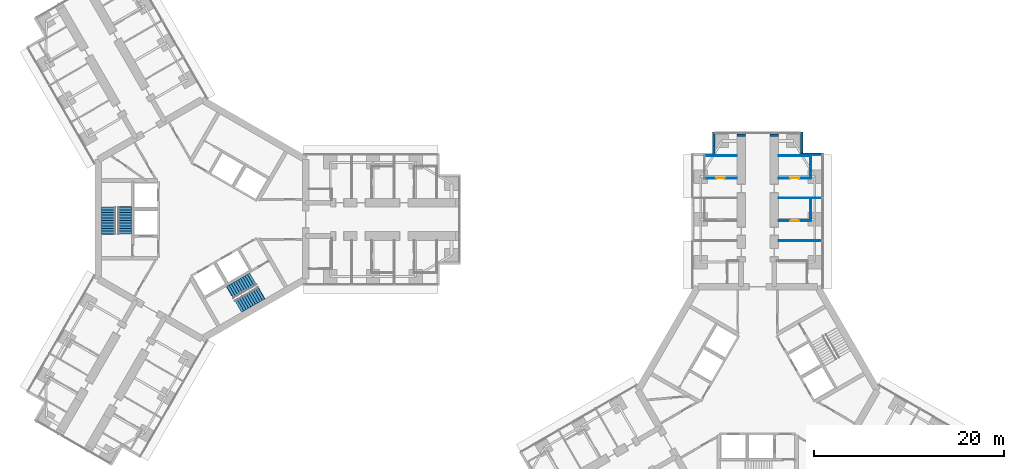
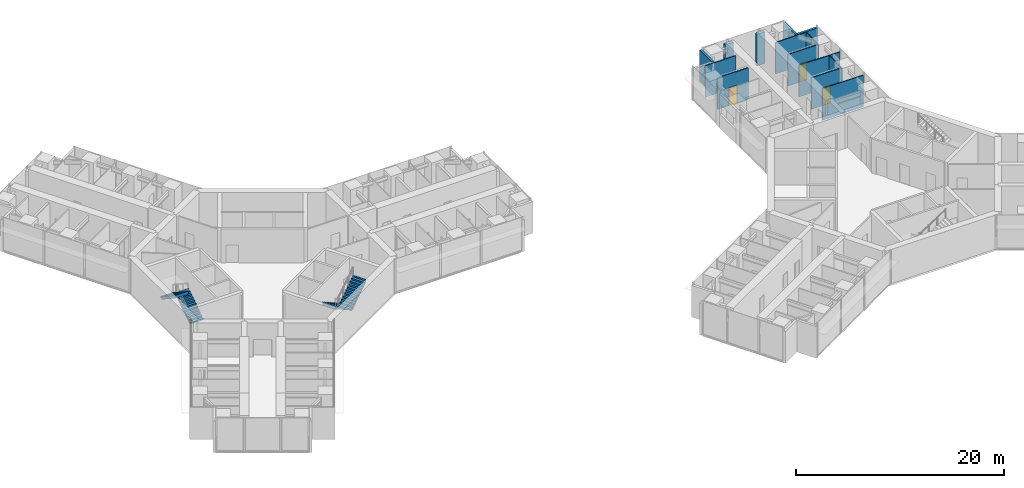
# One storey, part 23 of 25: 14 walls, 4 stair flights, 3 doors, 3 openings, 2 elements without a shape of their own.
"""IFC4 building model written with IfcOpenShell, lengths in metres."""

from ifc_helpers import new_model, si_unit, direction, frame, frame_2d, origin, place, context, subcontext, project, spatial, polyline, rectangle, outline, extrude, material, layer, layer_set, type_object, element, fill, aggregate, save


model = new_model("IFC4")

# Units and contexts
model_context = context("Model", 3, precision=1e-05, world=origin(), true_north=direction((0.0, 1.0)))
body_context = subcontext(model_context, "Body", "Model", "MODEL_VIEW")
ifc_project = project(units=[si_unit("LENGTHUNIT", "METRE"), si_unit("AREAUNIT", "SQUARE_METRE"), si_unit("VOLUMEUNIT", "CUBIC_METRE"), si_unit("PLANEANGLEUNIT", "RADIAN"), si_unit("MASSUNIT", "GRAM", prefix="KILO")], contexts=[model_context])

# Site, building, storey
site_placement = place(None, origin())
site = spatial("IfcSite", under=ifc_project, at=site_placement, CompositionType="ELEMENT")
building_placement = place(site_placement, origin())
building = spatial("IfcBuilding", under=site, at=building_placement, Name="Upepo Twin Towers", CompositionType="ELEMENT")
storey_placement = place(building_placement, frame((0.0, 0.0, 88.5)))
storey = spatial("IfcBuildingStorey", under=building, at=storey_placement, Name="L21", CompositionType="ELEMENT", Elevation=88.5)

# Walls
ifc_material_1 = material(Name="Dense concrete blockwork", Category="masonry")
ifc_layer_1 = layer(ifc_material_1, 0.89990234375)
ifc_layer_set_1 = layer_set([ifc_layer_1], Name="Buttress closer 900, blockwork with fire-stopping to the curtain wall")
wall_type_1 = type_object("IfcWallType", Name="Buttress closer 900, blockwork with fire-stopping to the curtain wall", PredefinedType="PARTITIONING", material=ifc_layer_set_1)
for number, where, z_axis, x_axis, name in (
    (1, (56.75, 8.699951171875, 0.0), (0.0, 0.0, 1.0), (0.0, 1.0, 0.0), "T2 L21 wing A buttress closer L"),
    (2, (60.25, 8.699951171875, 0.0), (0.0, 0.0, 1.0), (0.0, 1.0, 0.0), "T2 L21 wing A buttress closer R"),
):
    element("IfcWall", number, at=place(storey_placement, frame(where, z_axis=z_axis, x_axis=x_axis)), inside=storey, type_object=wall_type_1, Name=name, PredefinedType="PARTITIONING", context=body_context, shape_type="SweptSolid", body=[
        extrude(rectangle(XDim=0.31005859375, YDim=0.89990234375, at=frame_2d((0.155029296875, 0.0))), origin(), (0.0, 0.0, 1.0), 3.699951171875),
    ])
ifc_material_2 = material(Name="Blockwork with anodised aluminium cladding", Category="masonry")
ifc_layer_2 = layer(ifc_material_2, 0.25)
ifc_layer_set_2 = layer_set([ifc_layer_2], Name="Notch cladding wall 250, pale metal")
wall_type_2 = type_object("IfcWallType", Name="Notch cladding wall 250, pale metal", PredefinedType="STANDARD", material=ifc_layer_set_2)
for number, where, z_axis, x_axis, name in (
    (3, (53.875, 6.875, 0.0), (0.0, 0.0, 1.0), (0.0, 1.0, 0.0), "T2 L21 wing A notch wall L2"),
    (4, (65.449951171875, 6.875, 0.0), (0.0, 0.0, 1.0), (-1.0, 0.0, 0.0), "T2 L21 wing A notch wall R1"),
    (5, (63.125, 6.875, 0.0), (0.0, 0.0, 1.0), (0.0, 1.0, 0.0), "T2 L21 wing A notch wall R2"),
):
    element("IfcWall", number, at=place(storey_placement, frame(where, z_axis=z_axis, x_axis=x_axis)), inside=storey, type_object=wall_type_2, Name=name, PredefinedType="STANDARD", context=body_context, shape_type="SweptSolid", body=[
        extrude(rectangle(XDim=2.324951171875, YDim=0.25, at=frame_2d((1.16259765625, 0.0))), origin(), (0.0, 0.0, 1.0), 3.699951171875),
    ])

# Wall, opening, door
ifc_material_3 = material(Name="Gypsum board on steel studs", Category="steel")
ifc_layer_3 = layer(ifc_material_3, 0.10009765625)
ifc_layer_set_3 = layer_set([ifc_layer_3], Name="Office partition 100 stud")
wall_type_3 = type_object("IfcWallType", Name="Office partition 100 stud", PredefinedType="PARTITIONING", material=ifc_layer_set_3)
wall_1_placement = place(storey_placement, frame((56.300048828125, 4.35009765625, 0.0), z_axis=(0.0, 0.0, 1.0), x_axis=(-1.0, 0.0, 0.0)))
wall_1 = element("IfcWall", 6, at=wall_1_placement, inside=storey, type_object=wall_type_3, Name="T2 inner room partition AL end at 22.35", PredefinedType="PARTITIONING", context=body_context, shape_type="SweptSolid", body=[
    extrude(rectangle(XDim=3.400146484375, YDim=0.10009765625, at=frame_2d((1.7001953125, 0.0))), origin(), (0.0, 0.0, 1.0), 3.699951171875),
])
opening_1_placement = place(wall_1_placement, frame((1.25, 0.0, 0.0)))
opening_1 = element("IfcOpeningElement", 7, at=opening_1_placement, cuts=wall_1, Name="Opening D14", PredefinedType="OPENING", context=body_context, shape_type="SweptSolid", body=[
    extrude(rectangle(XDim=0.89990234375, YDim=2.10009765625, at=frame_2d((0.449951171875, 1.050048828125))), frame((0.0, 0.06005859375, 0.0), z_axis=(0.0, -1.0, 0.0), x_axis=(1.0, 0.0, 0.0)), (0.0, 0.0, 1.0), 0.1201171875),
])
ifc_material_4 = material(Name="Timber doorset", Category="wood")
door_type = type_object("IfcDoorType", Name="Office door 900 FD30", OperationType="SINGLE_SWING_LEFT", PredefinedType="DOOR", material=ifc_material_4)
door_1_placement = place(opening_1_placement, origin())
door_1 = element("IfcDoor", 8, at=door_1_placement, inside=storey, type_object=door_type, Name="T2 L21 inner room door", OperationType="SINGLE_SWING_LEFT", OverallHeight=2.10009765625, OverallWidth=0.89990234375, PredefinedType="DOOR", context=body_context, shape_type="SweptSolid", body=[
    extrude(rectangle(XDim=0.89990234375, YDim=2.10009765625, at=frame_2d((0.449951171875, 1.050048828125))), frame((0.0, 0.02490234375, 0.0), z_axis=(0.0, -1.0, 0.0), x_axis=(1.0, 0.0, 0.0)), (0.0, 0.0, 1.0), 0.050048828125),
])
fill(opening_1, door_1)

# Walls
wall_2_placement = place(storey_placement, frame((56.300048828125, 6.699951171875, 0.0), z_axis=(0.0, 0.0, 1.0), x_axis=(-1.0, 0.0, 0.0)))
element("IfcWall", 9, at=wall_2_placement, inside=storey, type_object=wall_type_3, Name="T2 inner room partition AL end at 24.75", PredefinedType="PARTITIONING", context=body_context, shape_type="SweptSolid", body=[
    extrude(rectangle(XDim=3.400146484375, YDim=0.10009765625, at=frame_2d((1.7001953125, 0.0))), origin(), (0.0, 0.0, 1.0), 3.699951171875),
])
for number, where, z_axis, x_axis, name in (
    (10, (60.699951171875, -2.25, 0.0), (0.0, 0.0, 1.0), (1.0, 0.0, 0.0), "T2 partition AR at 15.75"),
    (11, (60.699951171875, 2.25, 0.0), (0.0, 0.0, 1.0), (1.0, 0.0, 0.0), "T2 partition AR at 20.25"),
):
    element("IfcWall", number, at=place(storey_placement, frame(where, z_axis=z_axis, x_axis=x_axis)), inside=storey, type_object=wall_type_3, Name=name, PredefinedType="PARTITIONING", context=body_context, shape_type="SweptSolid", body=[
        extrude(rectangle(XDim=4.550048828125, YDim=0.10009765625, at=frame_2d((2.27490234375, 0.0))), origin(), (0.0, 0.0, 1.0), 3.699951171875),
    ])
wall_3_placement = place(storey_placement, frame((64.10009765625, -0.14990234375, 0.0), z_axis=(0.0, 0.0, 1.0), x_axis=(0.0, 1.0, 0.0)))
element("IfcWall", 12, at=wall_3_placement, inside=storey, type_object=wall_type_3, Name="T2 inner room partition AR at 17.85", PredefinedType="PARTITIONING", context=body_context, shape_type="SweptSolid", body=[
    extrude(rectangle(XDim=2.39990234375, YDim=0.10009765625, at=frame_2d((1.199951171875, 0.0))), origin(), (0.0, 0.0, 1.0), 3.699951171875),
])

# Wall, opening, door
wall_4_placement = place(storey_placement, frame((60.699951171875, -0.14990234375, 0.0), z_axis=(0.0, 0.0, 1.0), x_axis=(1.0, 0.0, 0.0)))
wall_4 = element("IfcWall", 13, at=wall_4_placement, inside=storey, type_object=wall_type_3, Name="T2 inner room partition AR end at 17.85", PredefinedType="PARTITIONING", context=body_context, shape_type="SweptSolid", body=[
    extrude(rectangle(XDim=3.400146484375, YDim=0.10009765625, at=frame_2d((1.7001953125, 0.0))), origin(), (0.0, 0.0, 1.0), 3.699951171875),
])
opening_2_placement = place(wall_4_placement, frame((1.25, 0.0, 0.0)))
opening_2 = element("IfcOpeningElement", 14, at=opening_2_placement, cuts=wall_4, Name="Opening D14", PredefinedType="OPENING", context=body_context, shape_type="SweptSolid", body=[
    extrude(rectangle(XDim=0.89990234375, YDim=2.10009765625, at=frame_2d((0.449951171875, 1.050048828125))), frame((0.0, 0.06005859375, 0.0), z_axis=(0.0, -1.0, 0.0), x_axis=(1.0, 0.0, 0.0)), (0.0, 0.0, 1.0), 0.1201171875),
])
door_2_placement = place(opening_2_placement, origin())
door_2 = element("IfcDoor", 15, at=door_2_placement, inside=storey, type_object=door_type, Name="T2 L21 inner room door", OperationType="SINGLE_SWING_LEFT", OverallHeight=2.10009765625, OverallWidth=0.89990234375, PredefinedType="DOOR", context=body_context, shape_type="SweptSolid", body=[
    extrude(rectangle(XDim=0.89990234375, YDim=2.10009765625, at=frame_2d((0.449951171875, 1.050048828125))), frame((0.0, 0.02490234375, 0.0), z_axis=(0.0, -1.0, 0.0), x_axis=(1.0, 0.0, 0.0)), (0.0, 0.0, 1.0), 0.050048828125),
])
fill(opening_2, door_2)

# Wall
wall_5_placement = place(storey_placement, frame((64.10009765625, 4.35009765625, 0.0), z_axis=(0.0, 0.0, 1.0), x_axis=(0.0, 1.0, 0.0)))
element("IfcWall", 16, at=wall_5_placement, inside=storey, type_object=wall_type_3, Name="T2 inner room partition AR at 22.35", PredefinedType="PARTITIONING", context=body_context, shape_type="SweptSolid", body=[
    extrude(rectangle(XDim=2.39990234375, YDim=0.10009765625, at=frame_2d((1.199951171875, 0.0))), origin(), (0.0, 0.0, 1.0), 3.699951171875),
])

# Wall, opening, door
wall_6_placement = place(storey_placement, frame((60.699951171875, 4.35009765625, 0.0), z_axis=(0.0, 0.0, 1.0), x_axis=(1.0, 0.0, 0.0)))
wall_6 = element("IfcWall", 17, at=wall_6_placement, inside=storey, type_object=wall_type_3, Name="T2 inner room partition AR end at 22.35", PredefinedType="PARTITIONING", context=body_context, shape_type="SweptSolid", body=[
    extrude(rectangle(XDim=3.400146484375, YDim=0.10009765625, at=frame_2d((1.7001953125, 0.0))), origin(), (0.0, 0.0, 1.0), 3.699951171875),
])
opening_3_placement = place(wall_6_placement, frame((1.25, 0.0, 0.0)))
opening_3 = element("IfcOpeningElement", 18, at=opening_3_placement, cuts=wall_6, Name="Opening D14", PredefinedType="OPENING", context=body_context, shape_type="SweptSolid", body=[
    extrude(rectangle(XDim=0.89990234375, YDim=2.10009765625, at=frame_2d((0.449951171875, 1.050048828125))), frame((0.0, 0.06005859375, 0.0), z_axis=(0.0, -1.0, 0.0), x_axis=(1.0, 0.0, 0.0)), (0.0, 0.0, 1.0), 0.1201171875),
])
door_3_placement = place(opening_3_placement, origin())
door_3 = element("IfcDoor", 19, at=door_3_placement, inside=storey, type_object=door_type, Name="T2 L21 inner room door", OperationType="SINGLE_SWING_LEFT", OverallHeight=2.10009765625, OverallWidth=0.89990234375, PredefinedType="DOOR", context=body_context, shape_type="SweptSolid", body=[
    extrude(rectangle(XDim=0.89990234375, YDim=2.10009765625, at=frame_2d((0.449951171875, 1.050048828125))), frame((0.0, 0.02490234375, 0.0), z_axis=(0.0, -1.0, 0.0), x_axis=(1.0, 0.0, 0.0)), (0.0, 0.0, 1.0), 0.050048828125),
])
fill(opening_3, door_3)

# Wall
wall_7_placement = place(storey_placement, frame((60.699951171875, 6.699951171875, 0.0), z_axis=(0.0, 0.0, 1.0), x_axis=(1.0, 0.0, 0.0)))
element("IfcWall", 20, at=wall_7_placement, inside=storey, type_object=wall_type_3, Name="T2 inner room partition AR end at 24.75", PredefinedType="PARTITIONING", context=body_context, shape_type="SweptSolid", body=[
    extrude(rectangle(XDim=3.400146484375, YDim=0.10009765625, at=frame_2d((1.7001953125, 0.0))), origin(), (0.0, 0.0, 1.0), 3.699951171875),
])

# Stair, stair flights
ifc_material_5 = material(Name="Concrete C40/50", Category="concrete")
stair_type = type_object("IfcStairType", Name="Core stair, two flights", PredefinedType="HALF_TURN_STAIR", material=ifc_material_5)
stair_1_placement = place(storey_placement, origin())
stair_1 = element("IfcStair", 21, at=stair_1_placement, inside=storey, type_object=stair_type, Name="T1 stair S1 L21", PredefinedType="HALF_TURN_STAIR")
ifc_material_6 = material(Name="Concrete C40/50", Category="concrete")
stair_flight_type = type_object("IfcStairFlightType", Name="Stair flight 1450 RC", PredefinedType="STRAIGHT", material=ifc_material_6)
stair_flight_1_placement = place(storey_placement, frame((-8.125, -1.52001953125, 0.0), z_axis=(0.0, 0.0, 1.0), x_axis=(0.0, 1.0, 0.0)))
stair_flight_1 = element("IfcStairFlight", 22, at=stair_flight_1_placement, type_object=stair_flight_type, Name="Stair S1 flight 1", NumberOfRisers=11, NumberOfTreads=10, PredefinedType="STRAIGHT", RiserHeight=0.181818182, TreadLength=0.28, context=body_context, shape_type="SweptSolid", body=[
    extrude(outline(polyline([(0.0, 0.0), (0.0, 0.181884765625), (0.280029296875, 0.181884765625), (0.280029296875, 0.363525390625), (0.56005859375, 0.363525390625), (0.56005859375, 0.54541015625), (0.840087890625, 0.54541015625), (0.840087890625, 0.727294921875), (1.1201171875, 0.727294921875), (1.1201171875, 0.9091796875), (1.39990234375, 0.9091796875), (1.39990234375, 1.0908203125), (1.679931640625, 1.0908203125), (1.679931640625, 1.272705078125), (1.9599609375, 1.272705078125), (1.9599609375, 1.45458984375), (2.239990234375, 1.45458984375), (2.239990234375, 1.636474609375), (2.52001953125, 1.636474609375), (2.52001953125, 1.818115234375), (2.800048828125, 1.818115234375), (2.800048828125, 2.0), (2.85009765625, 2.0), (2.85009765625, 1.639404296875), (0.3251953125, 0.0), (0.0, 0.0)])), frame((0.0, 0.72509765625, 0.0), z_axis=(0.0, -1.0, 0.0), x_axis=(1.0, 0.0, 0.0)), (0.0, 0.0, 1.0), 1.449951171875),
])
stair_flight_2_placement = place(storey_placement, frame((-9.833251953125, 1.280029296875, 2.0), z_axis=(0.0, 0.0, 1.0), x_axis=(0.0, -1.0, 0.0)))
stair_flight_2 = element("IfcStairFlight", 23, at=stair_flight_2_placement, type_object=stair_flight_type, Name="Stair S1 flight 2", NumberOfRisers=11, NumberOfTreads=10, PredefinedType="STRAIGHT", RiserHeight=0.181818182, TreadLength=0.28, context=body_context, shape_type="SweptSolid", body=[
    extrude(outline(polyline([(0.0, 0.0), (0.0, 0.181884765625), (0.280029296875, 0.181884765625), (0.280029296875, 0.363525390625), (0.56005859375, 0.363525390625), (0.56005859375, 0.54541015625), (0.840087890625, 0.54541015625), (0.840087890625, 0.727294921875), (1.1201171875, 0.727294921875), (1.1201171875, 0.9091796875), (1.39990234375, 0.9091796875), (1.39990234375, 1.0908203125), (1.679931640625, 1.0908203125), (1.679931640625, 1.272705078125), (1.9599609375, 1.272705078125), (1.9599609375, 1.45458984375), (2.239990234375, 1.45458984375), (2.239990234375, 1.636474609375), (2.52001953125, 1.636474609375), (2.52001953125, 1.818115234375), (2.800048828125, 1.818115234375), (2.800048828125, 2.0), (2.85009765625, 2.0), (2.85009765625, 1.639404296875), (0.3251953125, 0.0), (0.0, 0.0)])), frame((0.0, 0.72509765625, 0.0), z_axis=(0.0, -1.0, 0.0), x_axis=(1.0, 0.0, 0.0)), (0.0, 0.0, 1.0), 1.449951171875),
])
aggregate(stair_1, [stair_flight_1, stair_flight_2])

stair_2_placement = place(storey_placement, origin())
stair_2 = element("IfcStair", 24, at=stair_2_placement, inside=storey, type_object=stair_type, Name="T1 stair S2 L21", PredefinedType="HALF_TURN_STAIR")
stair_flight_3_placement = place(storey_placement, frame((5.37890625, -6.2763671875, 0.0), z_axis=(0.0, 0.0, 1.0), x_axis=(-0.866025403784, -0.5, 0.0)))
stair_flight_3 = element("IfcStairFlight", 25, at=stair_flight_3_placement, type_object=stair_flight_type, Name="Stair S2 flight 1", NumberOfRisers=11, NumberOfTreads=10, PredefinedType="STRAIGHT", RiserHeight=0.181818182, TreadLength=0.28, context=body_context, shape_type="SweptSolid", body=[
    extrude(outline(polyline([(0.0, 0.0), (0.0, 0.181884765625), (0.280029296875, 0.181884765625), (0.280029296875, 0.363525390625), (0.56005859375, 0.363525390625), (0.56005859375, 0.54541015625), (0.840087890625, 0.54541015625), (0.840087890625, 0.727294921875), (1.1201171875, 0.727294921875), (1.1201171875, 0.9091796875), (1.39990234375, 0.9091796875), (1.39990234375, 1.0908203125), (1.679931640625, 1.0908203125), (1.679931640625, 1.272705078125), (1.9599609375, 1.272705078125), (1.9599609375, 1.45458984375), (2.239990234375, 1.45458984375), (2.239990234375, 1.636474609375), (2.52001953125, 1.636474609375), (2.52001953125, 1.818115234375), (2.800048828125, 1.818115234375), (2.800048828125, 2.0), (2.85009765625, 2.0), (2.85009765625, 1.639404296875), (0.3251953125, 0.0), (0.0, 0.0)])), frame((0.0, 0.72509765625, 0.0), z_axis=(0.0, -1.0, 0.0), x_axis=(1.0, 0.0, 0.0)), (0.0, 0.0, 1.0), 1.449951171875),
])
stair_flight_4_placement = place(storey_placement, frame((3.80810546875, -9.156005859375, 2.0), z_axis=(0.0, 0.0, 1.0), x_axis=(0.866025403784, 0.5, 0.0)))
stair_flight_4 = element("IfcStairFlight", 26, at=stair_flight_4_placement, type_object=stair_flight_type, Name="Stair S2 flight 2", NumberOfRisers=11, NumberOfTreads=10, PredefinedType="STRAIGHT", RiserHeight=0.181818182, TreadLength=0.28, context=body_context, shape_type="SweptSolid", body=[
    extrude(outline(polyline([(0.0, 0.0), (0.0, 0.181884765625), (0.280029296875, 0.181884765625), (0.280029296875, 0.363525390625), (0.56005859375, 0.363525390625), (0.56005859375, 0.54541015625), (0.840087890625, 0.54541015625), (0.840087890625, 0.727294921875), (1.1201171875, 0.727294921875), (1.1201171875, 0.9091796875), (1.39990234375, 0.9091796875), (1.39990234375, 1.0908203125), (1.679931640625, 1.0908203125), (1.679931640625, 1.272705078125), (1.9599609375, 1.272705078125), (1.9599609375, 1.45458984375), (2.239990234375, 1.45458984375), (2.239990234375, 1.636474609375), (2.52001953125, 1.636474609375), (2.52001953125, 1.818115234375), (2.800048828125, 1.818115234375), (2.800048828125, 2.0), (2.85009765625, 2.0), (2.85009765625, 1.639404296875), (0.3251953125, 0.0), (0.0, 0.0)])), frame((0.0, 0.72509765625, 0.0), z_axis=(0.0, -1.0, 0.0), x_axis=(1.0, 0.0, 0.0)), (0.0, 0.0, 1.0), 1.449951171875),
])
aggregate(stair_2, [stair_flight_3, stair_flight_4])

save(model, "model.ifc")
